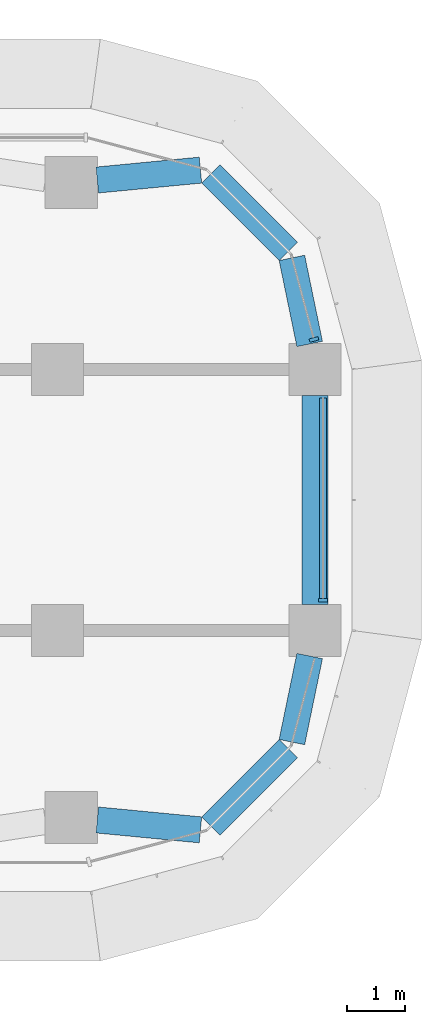
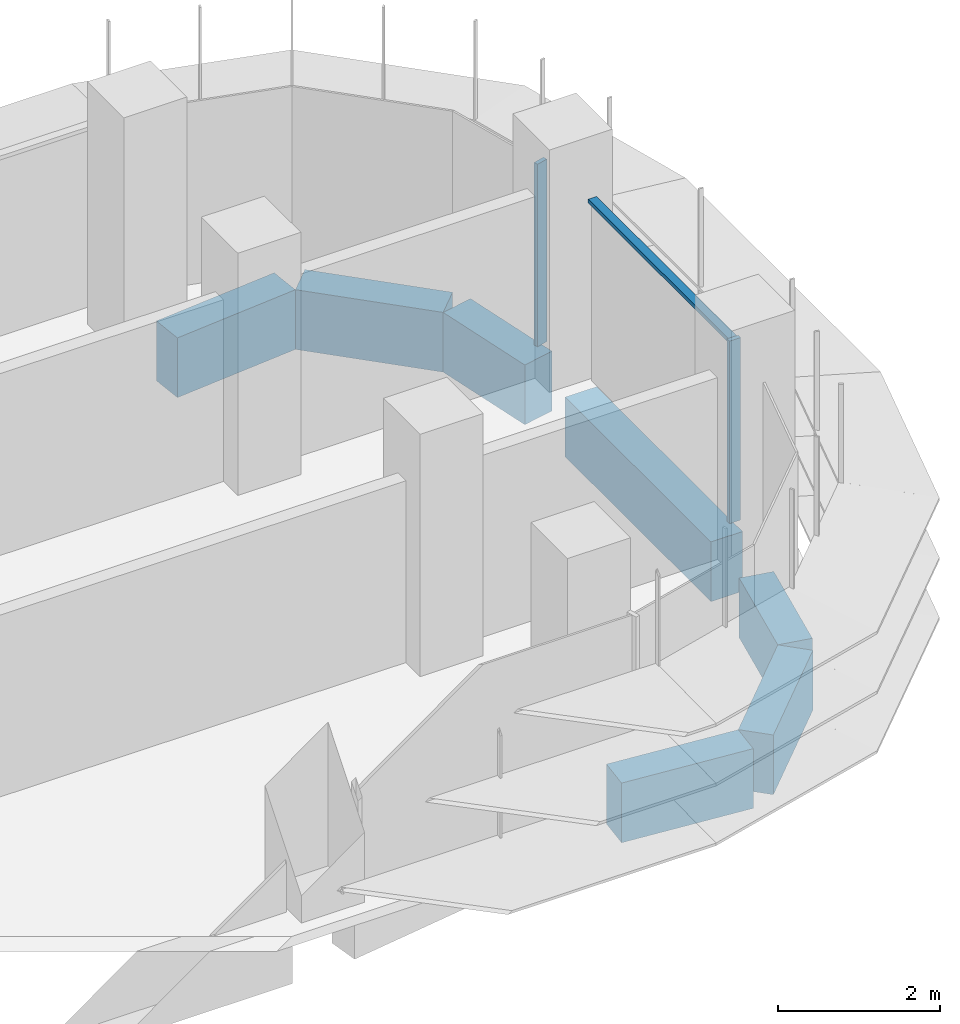
# One storey, part 10 of 22: 7 beams, 3 members, 2 elements without a shape of their own.
"""IFC4 building model written with IfcOpenShell, lengths in metres."""

from ifc_helpers import new_model, si_unit, direction, frame, origin, origin_2d, place, context, subcontext, project, spatial, polyline, rectangle, outline, extrude, source, transform, mapped, material, material_profile, profile_set, type_object, element, aggregate, save


model = new_model("IFC4")

# Units and contexts
model_context = context("Model", 3, precision=1e-05, world=origin(), true_north=direction((0.0, 1.0)))
body_context = subcontext(model_context, "Body", "Model", "MODEL_VIEW")
ifc_project = project(units=[si_unit("LENGTHUNIT", "METRE"), si_unit("AREAUNIT", "SQUARE_METRE"), si_unit("VOLUMEUNIT", "CUBIC_METRE"), si_unit("PLANEANGLEUNIT", "RADIAN"), si_unit("MASSUNIT", "GRAM", prefix="KILO")], contexts=[model_context])

# Site, building, storey
site_placement = place(None, origin())
site = spatial("IfcSite", under=ifc_project, at=site_placement, CompositionType="ELEMENT")
building_placement = place(site_placement, origin())
building = spatial("IfcBuilding", under=site, at=building_placement, Name="Zarbagh Exchange Tower", CompositionType="ELEMENT")
storey_placement = place(building_placement, frame((0.0, 0.0, 113.199951171875)))
storey = spatial("IfcBuildingStorey", under=building, at=storey_placement, Name="L26", CompositionType="ELEMENT", Elevation=113.199951171875)

# Beams
ifc_material_1 = material(Name="Concrete C60/75", Category="concrete")
ifc_material_profile = material_profile(ifc_material_1, rectangle(XDim=0.449951171875, YDim=0.89990234375, at=origin_2d()), Name="RC spandrel beam 450 x 900 C60/75")
ifc_profile_set = profile_set([ifc_material_profile], Name="Concrete C60/75")
beam_type = type_object("IfcBeamType", Name="RC spandrel beam 450 x 900 C60/75", PredefinedType="SPANDREL", material=ifc_profile_set)
beam_1_placement = place(storey_placement, frame((29.35595703125, 5.51806640625, -0.599853515625), z_axis=(0.995433267802, 0.095459988228, 0.0), x_axis=(-0.095459988228, 0.995433267802, 0.0)))
element("IfcBeam", 1, at=beam_1_placement, inside=storey, type_object=beam_type, Name="RC spandrel beam", PredefinedType="SPANDREL", context=body_context, shape_type="SweptSolid", body=[
    extrude(rectangle(XDim=0.449951171875, YDim=0.89990234375, at=origin_2d()), origin(), (0.0, 0.0, 1.0), 1.78759765625),
])
beam_2_placement = place(storey_placement, frame((31.316162109375, 5.623779296875, -0.599853515625), z_axis=(0.707106781187, -0.707106781187, 0.0), x_axis=(0.707106781187, 0.707106781187, 0.0)))
element("IfcBeam", 2, at=beam_2_placement, inside=storey, type_object=beam_type, Name="RC spandrel beam", PredefinedType="SPANDREL", context=body_context, shape_type="SweptSolid", body=[
    extrude(rectangle(XDim=0.449951171875, YDim=0.89990234375, at=origin_2d()), origin(), (0.0, 0.0, 1.0), 1.887939453125),
])
beam_3_placement = place(storey_placement, frame((32.71240234375, 4.17529296875, -0.599853515625), z_axis=(0.202275417995, -0.979328675816, 0.0), x_axis=(0.979328675816, 0.202275417995, 0.0)))
element("IfcBeam", 3, at=beam_3_placement, inside=storey, type_object=beam_type, Name="RC spandrel beam", PredefinedType="SPANDREL", context=body_context, shape_type="SweptSolid", body=[
    extrude(rectangle(XDim=0.449951171875, YDim=0.89990234375, at=origin_2d()), origin(), (0.0, 0.0, 1.0), 1.515869140625),
])
beam_4_placement = place(storey_placement, frame((33.110107421875, 1.800048828125, -0.599853515625), z_axis=(0.0, -1.0, 0.0), x_axis=(1.0, 0.0, 0.0)))
element("IfcBeam", 4, at=beam_4_placement, inside=storey, type_object=beam_type, Name="RC spandrel beam", PredefinedType="SPANDREL", context=body_context, shape_type="SweptSolid", body=[
    extrude(rectangle(XDim=0.449951171875, YDim=0.89990234375, at=origin_2d()), origin(), (0.0, 0.0, 1.0), 3.60009765625),
])
beam_5_placement = place(storey_placement, frame((33.01904296875, -2.690673828125, -0.599853515625), z_axis=(-0.202275417995, -0.979328675816, 0.0), x_axis=(0.979328675816, -0.202275417995, 0.0)))
element("IfcBeam", 5, at=beam_5_placement, inside=storey, type_object=beam_type, Name="RC spandrel beam", PredefinedType="SPANDREL", context=body_context, shape_type="SweptSolid", body=[
    extrude(rectangle(XDim=0.449951171875, YDim=0.89990234375, at=origin_2d()), origin(), (0.0, 0.0, 1.0), 1.515869140625),
])
beam_6_placement = place(storey_placement, frame((32.651123046875, -4.288818359375, -0.599853515625), z_axis=(-0.707106781187, -0.707106781187, 0.0), x_axis=(0.707106781187, -0.707106781187, 0.0)))
element("IfcBeam", 6, at=beam_6_placement, inside=storey, type_object=beam_type, Name="RC spandrel beam", PredefinedType="SPANDREL", context=body_context, shape_type="SweptSolid", body=[
    extrude(rectangle(XDim=0.449951171875, YDim=0.89990234375, at=origin_2d()), origin(), (0.0, 0.0, 1.0), 1.887939453125),
])
beam_7_placement = place(storey_placement, frame((31.135498046875, -5.688720703125, -0.599853515625), z_axis=(-0.995433267802, 0.095459988228, 0.0), x_axis=(-0.095459988228, -0.995433267802, 0.0)))
element("IfcBeam", 7, at=beam_7_placement, inside=storey, type_object=beam_type, Name="RC spandrel beam", PredefinedType="SPANDREL", context=body_context, shape_type="SweptSolid", body=[
    extrude(rectangle(XDim=0.449951171875, YDim=0.89990234375, at=origin_2d()), origin(), (0.0, 0.0, 1.0), 1.78759765625),
])

# Curtain wall, member
ifc_material_2 = material(Name="Anodised aluminium frame and glazing", Category="aluminium")
curtain_wall_type = type_object("IfcCurtainWallType", Name="CWA Ribbon glazing, lower zones", PredefinedType="NOTDEFINED", material=ifc_material_2)
curtain_wall_1_placement = place(storey_placement, origin())
curtain_wall_1 = element("IfcCurtainWall", 8, at=curtain_wall_1_placement, inside=storey, type_object=curtain_wall_type, Name="CWA12 curtain wall", PredefinedType="NOTDEFINED")
ifc_material_3 = material(Name="Anodised aluminium frame", Category="aluminium")
member_type_1 = type_object("IfcMemberType", Name="MUA Mullion, anodised aluminium frame", PredefinedType="MULLION", material=ifc_material_3)
shared_shape_1 = source(origin(), body_context, "Body", "SweptSolid", [
    extrude(outline(polyline([(0.0, -0.080078125), (0.06005859375, -0.080078125), (0.06005859375, 0.080078125), (0.0, 0.080078125), (0.0, -0.080078125)])), origin(), (0.0, 0.0, 1.0), 2.75),
])
placement = place(storey_placement, origin())
member_1 = element("IfcMember", 9, at=placement, type_object=member_type_1, Name="CWA12 mullion 1.1", PredefinedType="MULLION", context=body_context, shape_type="MappedRepresentation", body=[
    mapped(shared_shape_1, transform((33.25, -1.760009765625, 0.0), x_axis=(0.0, 1.0, 0.0), y_axis=(-1.0, 0.0, 0.0), z_axis=(0.0, 0.0, 1.0))),
])

curtain_wall_2_placement = place(storey_placement, origin())
curtain_wall_2 = element("IfcCurtainWall", 10, at=curtain_wall_2_placement, inside=storey, type_object=curtain_wall_type, Name="CWA13 curtain wall", PredefinedType="NOTDEFINED")
member_2 = element("IfcMember", 11, at=placement, type_object=member_type_1, Name="CWA13 mullion 1.1", PredefinedType="MULLION", context=body_context, shape_type="MappedRepresentation", body=[
    mapped(shared_shape_1, transform((33.10107421875, 2.739990234375, 0.0), x_axis=(-0.258824779902, 0.965924289636, 0.0), y_axis=(-0.965924289636, -0.258824779902, 0.0), z_axis=(0.0, 0.0, 1.0))),
])
aggregate(curtain_wall_2, [member_2])

# Member
member_type_2 = type_object("IfcMemberType", Name="TRA Transom, anodised aluminium frame", PredefinedType="USERDEFINED", material=ifc_material_3)
shared_shape_2 = source(origin(), body_context, "Body", "SweptSolid", [
    extrude(outline(polyline([(-0.06005859375, -0.06005859375), (0.0, -0.06005859375), (0.0, 0.06005859375), (-0.06005859375, 0.06005859375), (-0.06005859375, -0.06005859375)])), origin(), (0.0, 0.0, 1.0), 3.4599609375),
])
member_3 = element("IfcMember", 12, at=placement, type_object=member_type_2, Name="CWA12 transom 1.1", ObjectType="TRANSOM", PredefinedType="USERDEFINED", context=body_context, shape_type="MappedRepresentation", body=[
    mapped(shared_shape_2, transform((33.25, -1.699951171875, 2.75), x_axis=(0.0, 0.0, 1.0), y_axis=(1.0, 0.0, 0.0), z_axis=(0.0, 1.0, 0.0))),
])

aggregate(curtain_wall_1, [member_1, member_3])

save(model, "model.ifc")
